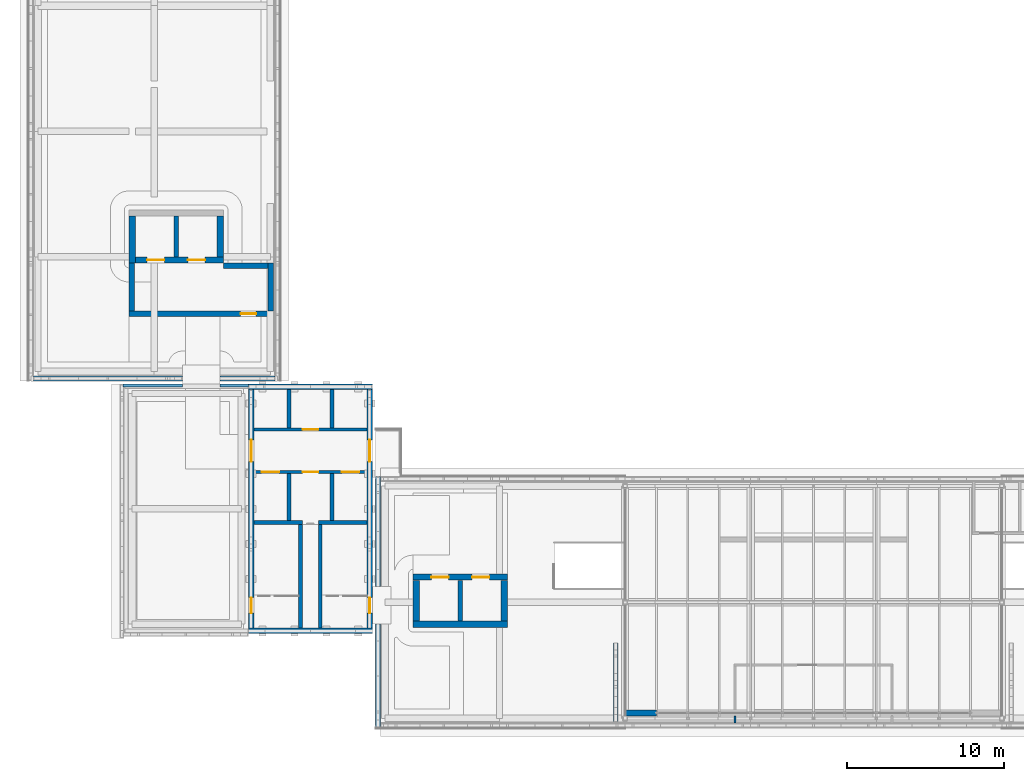
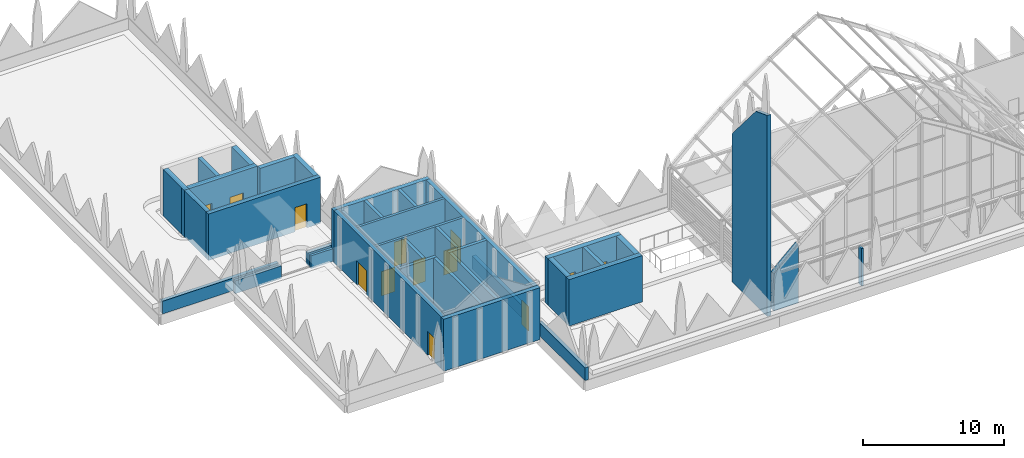
# One storey, part 10 of 18: 36 walls, 13 doors, 13 openings.
"""IFC4 building model written with IfcOpenShell, lengths in metres."""

from ifc_helpers import new_model, si_unit, direction, frame, frame_2d, origin, place, context, subcontext, project, spatial, polyline, rectangle, outline, extrude, material, layer, layer_set, type_object, element, fill, save


model = new_model("IFC4")

# Units and contexts
model_context = context("Model", 3, precision=1e-05, world=origin(), true_north=direction((0.0, 1.0)))
body_context = subcontext(model_context, "Body", "Model", "MODEL_VIEW")
ifc_project = project(units=[si_unit("LENGTHUNIT", "METRE"), si_unit("AREAUNIT", "SQUARE_METRE"), si_unit("VOLUMEUNIT", "CUBIC_METRE"), si_unit("PLANEANGLEUNIT", "RADIAN"), si_unit("MASSUNIT", "GRAM", prefix="KILO")], contexts=[model_context])

# Site, building, storey
site_placement = place(None, origin())
site = spatial("IfcSite", under=ifc_project, at=site_placement, CompositionType="ELEMENT")
building_placement = place(site_placement, origin())
building = spatial("IfcBuilding", under=site, at=building_placement, Name="Lantern Court Media Centre", CompositionType="ELEMENT")
storey_placement = place(building_placement, frame((0.0, 0.0, 33.60009765625)))
storey = spatial("IfcBuildingStorey", under=building, at=storey_placement, Name="R00", CompositionType="ELEMENT", Elevation=33.60009765625)

# Wall, openings, doors
ifc_material_1 = material(Name="Concrete C40", Category="concrete")
ifc_layer_1 = layer(ifc_material_1, 0.199951171875)
ifc_layer_set_1 = layer_set([ifc_layer_1], Name="Concrete C40")
wall_type_1 = type_object("IfcWallType", Name="Fire lobby wall 200", PredefinedType="SOLIDWALL", material=ifc_layer_set_1)
wall_1_placement = place(storey_placement, frame((16.35009765625, 58.300048828125, 0.0), z_axis=(0.0, 0.0, 1.0), x_axis=(1.0, 0.0, 0.0)))
wall_1 = element("IfcWall", 1, at=wall_1_placement, inside=storey, type_object=wall_type_1, Name="R00 SW FW1", PredefinedType="SOLIDWALL", context=body_context, shape_type="SweptSolid", body=[
    extrude(rectangle(XDim=7.199951171875, YDim=0.199951171875, at=frame_2d((3.60009765625, 0.0))), origin(), (0.0, 0.0, 1.0), 4.5),
])
opening_1_placement = place(wall_1_placement, frame((0.5, 0.0, 0.0)))
opening_1 = element("IfcOpeningElement", 2, at=opening_1_placement, cuts=wall_1, Name="Opening LD-SWFF-R00", PredefinedType="OPENING", context=body_context, shape_type="SweptSolid", body=[
    extrude(rectangle(XDim=1.10009765625, YDim=2.10009765625, at=frame_2d((0.550048828125, 1.050048828125))), frame((0.0, 0.10986328125, 0.0), z_axis=(0.0, -1.0, 0.0), x_axis=(1.0, 0.0, 0.0)), (0.0, 0.0, 1.0), 0.219970703125),
])
opening_2_placement = place(wall_1_placement, frame((5.60009765625, 0.0, 0.0)))
opening_2 = element("IfcOpeningElement", 3, at=opening_2_placement, cuts=wall_1, Name="Opening LD-SWP1-R00", PredefinedType="OPENING", context=body_context, shape_type="SweptSolid", body=[
    extrude(rectangle(XDim=1.10009765625, YDim=2.10009765625, at=frame_2d((0.550048828125, 1.050048828125))), frame((0.0, 0.10986328125, 0.0), z_axis=(0.0, -1.0, 0.0), x_axis=(1.0, 0.0, 0.0)), (0.0, 0.0, 1.0), 0.219970703125),
])
opening_3_placement = place(wall_1_placement, frame((3.10009765625, 0.0, 0.0)))
opening_3 = element("IfcOpeningElement", 4, at=opening_3_placement, cuts=wall_1, Name="Opening SW-R00-03", PredefinedType="OPENING", context=body_context, shape_type="SweptSolid", body=[
    extrude(rectangle(XDim=1.0, YDim=2.10009765625, at=frame_2d((0.5, 1.050048828125))), frame((0.0, 0.10986328125, 0.0), z_axis=(0.0, -1.0, 0.0), x_axis=(1.0, 0.0, 0.0)), (0.0, 0.0, 1.0), 0.219970703125),
])
ifc_material_2 = material(Name="Steel door leaf", Category="steel")
door_type_1 = type_object("IfcDoorType", Name="Lift landing door 1100x2100", OperationType="DOUBLE_DOOR_SLIDING", PredefinedType="DOOR", material=ifc_material_2)
door_1_placement = place(opening_1_placement, origin())
door_1 = element("IfcDoor", 5, at=door_1_placement, inside=storey, type_object=door_type_1, Name="R00 SW lift FF landing door", OperationType="DOUBLE_DOOR_SLIDING", OverallHeight=2.10009765625, OverallWidth=1.10009765625, PredefinedType="DOOR", context=body_context, shape_type="SweptSolid", body=[
    extrude(rectangle(XDim=1.10009765625, YDim=2.10009765625, at=frame_2d((0.550048828125, 1.050048828125))), frame((0.0, 0.02490234375, 0.0), z_axis=(0.0, -1.0, 0.0), x_axis=(1.0, 0.0, 0.0)), (0.0, 0.0, 1.0), 0.050048828125),
])
fill(opening_1, door_1)
door_2_placement = place(opening_2_placement, origin())
door_2 = element("IfcDoor", 6, at=door_2_placement, inside=storey, type_object=door_type_1, Name="R00 SW lift P1 landing door", OperationType="DOUBLE_DOOR_SLIDING", OverallHeight=2.10009765625, OverallWidth=1.10009765625, PredefinedType="DOOR", context=body_context, shape_type="SweptSolid", body=[
    extrude(rectangle(XDim=1.10009765625, YDim=2.10009765625, at=frame_2d((0.550048828125, 1.050048828125))), frame((0.0, 0.02490234375, 0.0), z_axis=(0.0, -1.0, 0.0), x_axis=(1.0, 0.0, 0.0)), (0.0, 0.0, 1.0), 0.050048828125),
])
fill(opening_2, door_2)
door_type_2 = type_object("IfcDoorType", Name="Service door 1000x2100", OperationType="NOTDEFINED", PredefinedType="DOOR", material=ifc_material_2)
door_3_placement = place(opening_3_placement, origin())
door_3 = element("IfcDoor", 7, at=door_3_placement, inside=storey, type_object=door_type_2, Name="R00 SW services riser door", OperationType="SINGLE_SWING_LEFT", OverallHeight=2.10009765625, OverallWidth=1.0, PredefinedType="DOOR", context=body_context, shape_type="SweptSolid", body=[
    extrude(rectangle(XDim=1.0, YDim=2.10009765625, at=frame_2d((0.5, 1.050048828125))), frame((0.0, 0.02490234375, 0.0), z_axis=(0.0, -1.0, 0.0), x_axis=(1.0, 0.0, 0.0)), (0.0, 0.0, 1.0), 0.050048828125),
])
fill(opening_3, door_3)

# Wall, opening, door
wall_2_placement = place(storey_placement, frame((16.35009765625, 61.0, 0.0), z_axis=(0.0, 0.0, 1.0), x_axis=(1.0, 0.0, 0.0)))
wall_2 = element("IfcWall", 8, at=wall_2_placement, inside=storey, type_object=wall_type_1, Name="R00 SW FW2", PredefinedType="SOLIDWALL", context=body_context, shape_type="SweptSolid", body=[
    extrude(rectangle(XDim=7.199951171875, YDim=0.199951171875, at=frame_2d((3.60009765625, 0.0))), origin(), (0.0, 0.0, 1.0), 4.5),
])
opening_4_placement = place(wall_2_placement, frame((3.10009765625, 0.0, 0.0)))
opening_4 = element("IfcOpeningElement", 9, at=opening_4_placement, cuts=wall_2, Name="Opening SW-R00-04", PredefinedType="OPENING", context=body_context, shape_type="SweptSolid", body=[
    extrude(rectangle(XDim=1.0, YDim=2.10009765625, at=frame_2d((0.5, 1.050048828125))), frame((0.0, 0.10986328125, 0.0), z_axis=(0.0, -1.0, 0.0), x_axis=(1.0, 0.0, 0.0)), (0.0, 0.0, 1.0), 0.219970703125),
])
door_4_placement = place(opening_4_placement, frame((1.0, 0.0, 0.0), z_axis=(0.0, 0.0, 1.0), x_axis=(-1.0, 0.0, 0.0)))
door_4 = element("IfcDoor", 10, at=door_4_placement, inside=storey, type_object=door_type_2, Name="R00 SW accessible WC door", OperationType="SINGLE_SWING_RIGHT", OverallHeight=2.10009765625, OverallWidth=1.0, PredefinedType="DOOR", context=body_context, shape_type="SweptSolid", body=[
    extrude(rectangle(XDim=1.0, YDim=2.10009765625, at=frame_2d((0.5, 1.050048828125))), frame((0.0, 0.02490234375, 0.0), z_axis=(0.0, -1.0, 0.0), x_axis=(1.0, 0.0, 0.0)), (0.0, 0.0, 1.0), 0.050048828125),
])
fill(opening_4, door_4)

# Walls
ifc_material_3 = material(Name="Honed limestone cladding on blockwork", Category="masonry")
ifc_layer_2 = layer(ifc_material_3, 0.300048828125)
ifc_layer_set_2 = layer_set([ifc_layer_2], Name="Honed limestone cladding on blockwork")
wall_type_2 = type_object("IfcWallType", Name="Limestone flank wall 300", PredefinedType="SOLIDWALL", material=ifc_layer_set_2)
wall_3_placement = place(storey_placement, frame((39.39990234375, 42.39990234375, 0.0), z_axis=(0.0, 0.0, 1.0), x_axis=(0.0, 1.0, 0.0)))
element("IfcWall", 11, at=wall_3_placement, inside=storey, type_object=wall_type_2, Name="Limestone pylon blade S roof", PredefinedType="SOLIDWALL", context=body_context, shape_type="SweptSolid", body=[
    extrude(outline(polyline([(0.0, 0.0), (5.0, 0.0), (5.0, 12.7998046875), (1.60009765625, 16.7998046875), (0.0, 17.39990234375), (0.0, 0.0)])), frame((0.0, 0.14990234375, 0.0), z_axis=(0.0, -1.0, 0.0), x_axis=(1.0, 0.0, 0.0)), (0.0, 0.0, 1.0), 0.300048828125),
])
ifc_material_4 = material(Name="Concrete blockwork C20", Category="masonry")
ifc_layer_3 = layer(ifc_material_4, 0.14990234375)
ifc_layer_set_3 = layer_set([ifc_layer_3], Name="Concrete blockwork C20")
wall_type_3 = type_object("IfcWallType", Name="Partition 150 masonry", PredefinedType="PARTITIONING", material=ifc_layer_set_3)
wall_4_placement = place(storey_placement, frame((47.0, 42.300048828125, 0.0), z_axis=(0.0, 0.0, 1.0), x_axis=(0.0, 1.0, 0.0)))
element("IfcWall", 12, at=wall_4_placement, inside=storey, type_object=wall_type_3, Name="R00 partition 008", PredefinedType="PARTITIONING", context=body_context, shape_type="SweptSolid", body=[
    extrude(rectangle(XDim=0.449951171875, YDim=0.14990234375, at=frame_2d((0.22509765625, 0.0))), origin(), (0.0, 0.0, 1.0), 3.25),
])
ifc_material_5 = material(Name="Limestone masonry, insulated", Category="masonry")
ifc_layer_4 = layer(ifc_material_5, 0.39990234375)
ifc_layer_set_4 = layer_set([ifc_layer_4], Name="Limestone masonry, insulated")
wall_type_4 = type_object("IfcWallType", Name="Pavilion gable wall 400", PredefinedType="SOLIDWALL", material=ifc_layer_set_4)
wall_5_placement = place(storey_placement, frame((40.0, 42.949951171875, 0.0), z_axis=(0.0, 0.0, 1.0), x_axis=(1.0, 0.0, 0.0)))
element("IfcWall", 13, at=wall_5_placement, inside=storey, type_object=wall_type_4, Name="Terrace pavilion gable pier", PredefinedType="SOLIDWALL", context=body_context, shape_type="SweptSolid", body=[
    extrude(outline(polyline([(0.0, 0.0), (2.0, 0.0), (2.0, 5.048583984375), (1.75, 4.82666015625), (1.5, 4.60205078125), (1.25, 4.375), (1.0, 4.145263671875), (0.75, 3.9130859375), (0.5, 3.677978515625), (0.25, 3.4404296875), (0.0, 3.199951171875), (0.0, 0.0)])), frame((0.0, 0.199951171875, 0.0), z_axis=(0.0, -1.0, 0.0), x_axis=(1.0, 0.0, 0.0)), (0.0, 0.0, 1.0), 0.39990234375),
])

# Wall, opening, door
ifc_layer_5 = layer(ifc_material_1, 0.35009765625)
ifc_layer_set_5 = layer_set([ifc_layer_5], Name="Concrete C40")
wall_type_5 = type_object("IfcWallType", Name="RC CORE WALL 350", PredefinedType="SHEAR", material=ifc_layer_set_5)
wall_6_placement = place(storey_placement, frame((8.39990234375, 68.375, 0.0), z_axis=(0.0, 0.0, 1.0), x_axis=(1.0, 0.0, 0.0)))
wall_6 = element("IfcWall", 14, at=wall_6_placement, inside=storey, type_object=wall_type_5, Name="WB-W-LC-R00-VB-S", PredefinedType="SHEAR", context=body_context, shape_type="SweptSolid", body=[
    extrude(rectangle(XDim=9.2001953125, YDim=0.35009765625, at=frame_2d((4.60009765625, 0.0))), origin(), (0.0, 0.0, 1.0), 4.02001953125),
])
opening_5_placement = place(wall_6_placement, frame((7.10009765625, 0.0, 0.0)))
opening_5 = element("IfcOpeningElement", 15, at=opening_5_placement, cuts=wall_6, Name="Opening VB-W-LC", PredefinedType="OPENING", context=body_context, shape_type="SweptSolid", body=[
    extrude(rectangle(XDim=1.0, YDim=2.10009765625, at=frame_2d((0.5, 1.050048828125))), frame((0.0, 0.18505859375, 0.0), z_axis=(0.0, -1.0, 0.0), x_axis=(1.0, 0.0, 0.0)), (0.0, 0.0, 1.0), 0.3701171875),
])
door_type_3 = type_object("IfcDoorType", Name="Lift lobby single door 1000x2100", OperationType="NOTDEFINED", PredefinedType="DOOR", material=ifc_material_2)
door_5_placement = place(opening_5_placement, frame((1.0, 0.0, 0.0), z_axis=(0.0, 0.0, 1.0), x_axis=(-1.0, 0.0, 0.0)))
door_5 = element("IfcDoor", 16, at=door_5_placement, inside=storey, type_object=door_type_3, Name="R00 W-LC roof lift vestibule door", OperationType="SINGLE_SWING_RIGHT", OverallHeight=2.10009765625, OverallWidth=1.0, PredefinedType="DOOR", context=body_context, shape_type="SweptSolid", body=[
    extrude(rectangle(XDim=1.0, YDim=2.10009765625, at=frame_2d((0.5, 1.050048828125))), frame((0.0, 0.02490234375, 0.0), z_axis=(0.0, -1.0, 0.0), x_axis=(1.0, 0.0, 0.0)), (0.0, 0.0, 1.0), 0.050048828125),
])
fill(opening_5, door_5)

# Walls
for number, where, z_axis, x_axis, name in (
    (17, (17.425048828125, 68.550048828125, 0.0), (0.0, 0.0, 1.0), (0.0, 1.0, 0.0), "WB-W-LC-R00-VB-E"),
    (18, (8.574951171875, 68.550048828125, 0.0), (0.0, 0.0, 1.0), (0.0, 1.0, 0.0), "WB-W-LC-R00-VB-W"),
):
    element("IfcWall", number, at=place(storey_placement, frame(where, z_axis=z_axis, x_axis=x_axis)), inside=storey, type_object=wall_type_5, Name=name, PredefinedType="SHEAR", context=body_context, shape_type="SweptSolid", body=[
        extrude(rectangle(XDim=3.050048828125, YDim=0.35009765625, at=frame_2d((1.52490234375, 0.0))), origin(), (0.0, 0.0, 1.0), 4.02001953125),
    ])
wall_7_placement = place(storey_placement, frame((14.39990234375, 71.425048828125, 0.0), z_axis=(0.0, 0.0, 1.0), x_axis=(1.0, 0.0, 0.0)))
element("IfcWall", 19, at=wall_7_placement, inside=storey, type_object=wall_type_5, Name="WB-W-LC-R00-VB-N", PredefinedType="SHEAR", context=body_context, shape_type="SweptSolid", body=[
    extrude(rectangle(XDim=2.85009765625, YDim=0.35009765625, at=frame_2d((1.425048828125, 0.0))), origin(), (0.0, 0.0, 1.0), 4.02001953125),
])
ifc_layer_6 = layer(ifc_material_1, 0.300048828125)
ifc_layer_set_6 = layer_set([ifc_layer_6], Name="Concrete C40")
wall_type_6 = type_object("IfcWallType", Name="RC SHEAR WALL 300", PredefinedType="SHEAR", material=ifc_layer_set_6)
wall_8_placement = place(storey_placement, frame((29.5, 48.800048828125, 0.0), z_axis=(0.0, 0.0, 1.0), x_axis=(0.0, 1.0, 0.0)))
element("IfcWall", 20, at=wall_8_placement, inside=storey, type_object=wall_type_6, Name="WB-S-LC1-R00-D", PredefinedType="SHEAR", context=body_context, shape_type="SweptSolid", body=[
    extrude(rectangle(XDim=2.599853515625, YDim=0.300048828125, at=frame_2d((1.2998046875, 0.0))), origin(), (0.0, 0.0, 1.0), 4.02001953125),
])
wall_9_placement = place(storey_placement, frame((11.39990234375, 72.0, 0.0), z_axis=(0.0, 0.0, 1.0), x_axis=(0.0, 1.0, 0.0)))
element("IfcWall", 21, at=wall_9_placement, inside=storey, type_object=wall_type_6, Name="WB-W-LC-R00-D", PredefinedType="SHEAR", context=body_context, shape_type="SweptSolid", body=[
    extrude(rectangle(XDim=2.60009765625, YDim=0.300048828125, at=frame_2d((1.300048828125, 0.0))), origin(), (0.0, 0.0, 1.0), 4.02001953125),
])
ifc_layer_7 = layer(ifc_material_1, 0.39990234375)
ifc_layer_set_7 = layer_set([ifc_layer_7], Name="Concrete C40")
wall_type_7 = type_object("IfcWallType", Name="RC SHEAR WALL 400", PredefinedType="SHEAR", material=ifc_layer_set_7)
wall_10_placement = place(storey_placement, frame((26.5, 48.60009765625, 0.0), z_axis=(0.0, 0.0, 1.0), x_axis=(1.0, 0.0, 0.0)))
element("IfcWall", 22, at=wall_10_placement, inside=storey, type_object=wall_type_7, Name="WB-S-LC1-R00-S", PredefinedType="SHEAR", context=body_context, shape_type="SweptSolid", body=[
    extrude(rectangle(XDim=6.0, YDim=0.39990234375, at=frame_2d((3.0, 0.0))), origin(), (0.0, 0.0, 1.0), 4.02001953125),
])

# Wall, openings, doors
wall_11_placement = place(storey_placement, frame((26.5, 51.60009765625, 0.0), z_axis=(0.0, 0.0, 1.0), x_axis=(1.0, 0.0, 0.0)))
wall_11 = element("IfcWall", 23, at=wall_11_placement, inside=storey, type_object=wall_type_7, Name="WB-S-LC1-R00-N", PredefinedType="SHEAR", context=body_context, shape_type="SweptSolid", body=[
    extrude(rectangle(XDim=6.0, YDim=0.39990234375, at=frame_2d((3.0, 0.0))), origin(), (0.0, 0.0, 1.0), 4.02001953125),
])
opening_6_placement = place(wall_11_placement, frame((1.14990234375, 0.0, 0.0)))
opening_6 = element("IfcOpeningElement", 24, at=opening_6_placement, cuts=wall_11, Name="Opening LD-S-LC1P-R00", PredefinedType="OPENING", context=body_context, shape_type="SweptSolid", body=[
    extrude(rectangle(XDim=1.10009765625, YDim=2.10009765625, at=frame_2d((0.550048828125, 1.050048828125))), frame((0.0, 0.2099609375, 0.0), z_axis=(0.0, -1.0, 0.0), x_axis=(1.0, 0.0, 0.0)), (0.0, 0.0, 1.0), 0.419921875),
])
opening_7_placement = place(wall_11_placement, frame((3.75, 0.0, 0.0)))
opening_7 = element("IfcOpeningElement", 25, at=opening_7_placement, cuts=wall_11, Name="Opening LD-S-LC1S-R00", PredefinedType="OPENING", context=body_context, shape_type="SweptSolid", body=[
    extrude(rectangle(XDim=1.10009765625, YDim=2.10009765625, at=frame_2d((0.550048828125, 1.050048828125))), frame((0.0, 0.2099609375, 0.0), z_axis=(0.0, -1.0, 0.0), x_axis=(1.0, 0.0, 0.0)), (0.0, 0.0, 1.0), 0.419921875),
])
door_6_placement = place(opening_6_placement, origin())
door_6 = element("IfcDoor", 26, at=door_6_placement, inside=storey, type_object=door_type_1, Name="R00 S-LC1 passenger lift landing door", OperationType="DOUBLE_DOOR_SLIDING", OverallHeight=2.10009765625, OverallWidth=1.10009765625, PredefinedType="DOOR", context=body_context, shape_type="SweptSolid", body=[
    extrude(rectangle(XDim=1.10009765625, YDim=2.10009765625, at=frame_2d((0.550048828125, 1.050048828125))), frame((0.0, 0.02490234375, 0.0), z_axis=(0.0, -1.0, 0.0), x_axis=(1.0, 0.0, 0.0)), (0.0, 0.0, 1.0), 0.050048828125),
])
fill(opening_6, door_6)
door_7_placement = place(opening_7_placement, origin())
door_7 = element("IfcDoor", 27, at=door_7_placement, inside=storey, type_object=door_type_1, Name="R00 S-LC1 service lift landing door", OperationType="DOUBLE_DOOR_SLIDING", OverallHeight=2.10009765625, OverallWidth=1.10009765625, PredefinedType="DOOR", context=body_context, shape_type="SweptSolid", body=[
    extrude(rectangle(XDim=1.10009765625, YDim=2.10009765625, at=frame_2d((0.550048828125, 1.050048828125))), frame((0.0, 0.02490234375, 0.0), z_axis=(0.0, -1.0, 0.0), x_axis=(1.0, 0.0, 0.0)), (0.0, 0.0, 1.0), 0.050048828125),
])
fill(opening_7, door_7)

# Walls
for number, where, z_axis, x_axis, name in (
    (28, (26.699951171875, 48.800048828125, 0.0), (0.0, 0.0, 1.0), (0.0, 1.0, 0.0), "WB-S-LC1-R00-W"),
    (29, (32.300048828125, 48.800048828125, 0.0), (0.0, 0.0, 1.0), (0.0, 1.0, 0.0), "WB-S-LC1-R00-E"),
):
    element("IfcWall", number, at=place(storey_placement, frame(where, z_axis=z_axis, x_axis=x_axis)), inside=storey, type_object=wall_type_7, Name=name, PredefinedType="SHEAR", context=body_context, shape_type="SweptSolid", body=[
        extrude(rectangle(XDim=2.599853515625, YDim=0.39990234375, at=frame_2d((1.2998046875, 0.0))), origin(), (0.0, 0.0, 1.0), 4.02001953125),
    ])

# Wall, openings, doors
wall_12_placement = place(storey_placement, frame((8.39990234375, 71.800048828125, 0.0), z_axis=(0.0, 0.0, 1.0), x_axis=(1.0, 0.0, 0.0)))
wall_12 = element("IfcWall", 30, at=wall_12_placement, inside=storey, type_object=wall_type_7, Name="WB-W-LC-R00-S", PredefinedType="SHEAR", context=body_context, shape_type="SweptSolid", body=[
    extrude(rectangle(XDim=6.0, YDim=0.39990234375, at=frame_2d((3.0, 0.0))), origin(), (0.0, 0.0, 1.0), 4.02001953125),
])
opening_8_placement = place(wall_12_placement, frame((1.14990234375, 0.0, 0.0)))
opening_8 = element("IfcOpeningElement", 31, at=opening_8_placement, cuts=wall_12, Name="Opening LD-W-LCP-R00", PredefinedType="OPENING", context=body_context, shape_type="SweptSolid", body=[
    extrude(rectangle(XDim=1.10009765625, YDim=2.10009765625, at=frame_2d((0.550048828125, 1.050048828125))), frame((0.0, 0.2099609375, 0.0), z_axis=(0.0, -1.0, 0.0), x_axis=(1.0, 0.0, 0.0)), (0.0, 0.0, 1.0), 0.419921875),
])
opening_9_placement = place(wall_12_placement, frame((3.75, 0.0, 0.0)))
opening_9 = element("IfcOpeningElement", 32, at=opening_9_placement, cuts=wall_12, Name="Opening LD-W-LCS-R00", PredefinedType="OPENING", context=body_context, shape_type="SweptSolid", body=[
    extrude(rectangle(XDim=1.10009765625, YDim=2.10009765625, at=frame_2d((0.550048828125, 1.050048828125))), frame((0.0, 0.2099609375, 0.0), z_axis=(0.0, -1.0, 0.0), x_axis=(1.0, 0.0, 0.0)), (0.0, 0.0, 1.0), 0.419921875),
])
door_8_placement = place(opening_8_placement, frame((1.10009765625, 0.0, 0.0), z_axis=(0.0, 0.0, 1.0), x_axis=(-1.0, 0.0, 0.0)))
door_8 = element("IfcDoor", 33, at=door_8_placement, inside=storey, type_object=door_type_1, Name="R00 W-LC passenger lift landing door", OperationType="DOUBLE_DOOR_SLIDING", OverallHeight=2.10009765625, OverallWidth=1.10009765625, PredefinedType="DOOR", context=body_context, shape_type="SweptSolid", body=[
    extrude(rectangle(XDim=1.10009765625, YDim=2.10009765625, at=frame_2d((0.550048828125, 1.050048828125))), frame((0.0, 0.02490234375, 0.0), z_axis=(0.0, -1.0, 0.0), x_axis=(1.0, 0.0, 0.0)), (0.0, 0.0, 1.0), 0.050048828125),
])
fill(opening_8, door_8)
door_9_placement = place(opening_9_placement, frame((1.10009765625, 0.0, 0.0), z_axis=(0.0, 0.0, 1.0), x_axis=(-1.0, 0.0, 0.0)))
door_9 = element("IfcDoor", 34, at=door_9_placement, inside=storey, type_object=door_type_1, Name="R00 W-LC service lift landing door", OperationType="DOUBLE_DOOR_SLIDING", OverallHeight=2.10009765625, OverallWidth=1.10009765625, PredefinedType="DOOR", context=body_context, shape_type="SweptSolid", body=[
    extrude(rectangle(XDim=1.10009765625, YDim=2.10009765625, at=frame_2d((0.550048828125, 1.050048828125))), frame((0.0, 0.02490234375, 0.0), z_axis=(0.0, -1.0, 0.0), x_axis=(1.0, 0.0, 0.0)), (0.0, 0.0, 1.0), 0.050048828125),
])
fill(opening_9, door_9)

# Walls
wall_13_placement = place(storey_placement, frame((8.60009765625, 71.60009765625, 0.0), z_axis=(0.0, 0.0, 1.0), x_axis=(0.0, 1.0, 0.0)))
element("IfcWall", 35, at=wall_13_placement, inside=storey, type_object=wall_type_7, Name="WB-W-LC-R00-W", PredefinedType="SHEAR", context=body_context, shape_type="SweptSolid", body=[
    extrude(rectangle(XDim=3.0, YDim=0.39990234375, at=frame_2d((1.5, 0.0))), origin(), (0.0, 0.0, 1.0), 4.02001953125),
])
wall_14_placement = place(storey_placement, frame((14.199951171875, 72.0, 0.0), z_axis=(0.0, 0.0, 1.0), x_axis=(0.0, 1.0, 0.0)))
element("IfcWall", 36, at=wall_14_placement, inside=storey, type_object=wall_type_7, Name="WB-W-LC-R00-E", PredefinedType="SHEAR", context=body_context, shape_type="SweptSolid", body=[
    extrude(rectangle(XDim=2.60009765625, YDim=0.39990234375, at=frame_2d((1.300048828125, 0.0))), origin(), (0.0, 0.0, 1.0), 4.02001953125),
])
ifc_layer_8 = layer(ifc_material_1, 0.35009765625)
ifc_layer_set_8 = layer_set([ifc_layer_8], Name="Concrete C40")
wall_type_8 = type_object("IfcWallType", Name="RC head-house wall 350", PredefinedType="SOLIDWALL", material=ifc_layer_set_8)
wall_15_placement = place(storey_placement, frame((16.0, 48.175048828125, 0.0), z_axis=(0.0, 0.0, 1.0), x_axis=(1.0, 0.0, 0.0)))
element("IfcWall", 37, at=wall_15_placement, inside=storey, type_object=wall_type_8, Name="R00 SW head-house wall S", PredefinedType="SOLIDWALL", context=body_context, shape_type="SweptSolid", body=[
    extrude(rectangle(XDim=7.89990234375, YDim=0.35009765625, at=frame_2d((3.949951171875, 0.0))), origin(), (0.0, 0.0, 1.0), 4.5),
])

# Wall, openings, doors
wall_16_placement = place(storey_placement, frame((16.175048828125, 48.35009765625, 0.0), z_axis=(0.0, 0.0, 1.0), x_axis=(0.0, 1.0, 0.0)))
wall_16 = element("IfcWall", 38, at=wall_16_placement, inside=storey, type_object=wall_type_8, Name="R00 SW head-house wall W", PredefinedType="SOLIDWALL", context=body_context, shape_type="SweptSolid", body=[
    extrude(rectangle(XDim=15.199951171875, YDim=0.35009765625, at=frame_2d((7.60009765625, 0.0))), origin(), (0.0, 0.0, 1.0), 4.5),
])
opening_10_placement = place(wall_16_placement, frame((0.949951171875, 0.0, 0.0)))
opening_10 = element("IfcOpeningElement", 39, at=opening_10_placement, cuts=wall_16, Name="Opening SW-R00-01", PredefinedType="OPENING", context=body_context, shape_type="SweptSolid", body=[
    extrude(rectangle(XDim=1.0, YDim=2.10009765625, at=frame_2d((0.5, 1.050048828125))), frame((0.0, 0.18505859375, 0.0), z_axis=(0.0, -1.0, 0.0), x_axis=(1.0, 0.0, 0.0)), (0.0, 0.0, 1.0), 0.3701171875),
])
opening_11_placement = place(wall_16_placement, frame((10.60009765625, 0.0, 0.0)))
opening_11 = element("IfcOpeningElement", 40, at=opening_11_placement, cuts=wall_16, Name="Opening SW-R00-05", PredefinedType="OPENING", context=body_context, shape_type="SweptSolid", body=[
    extrude(rectangle(XDim=1.39990234375, YDim=2.10009765625, at=frame_2d((0.699951171875, 1.050048828125))), frame((0.0, 0.18505859375, 0.0), z_axis=(0.0, -1.0, 0.0), x_axis=(1.0, 0.0, 0.0)), (0.0, 0.0, 1.0), 0.3701171875),
])
door_type_4 = type_object("IfcDoorType", Name="Lift lobby double door 1400x2100", OperationType="NOTDEFINED", PredefinedType="DOOR", material=ifc_material_2)
door_10_placement = place(opening_11_placement, origin())
door_10 = element("IfcDoor", 41, at=door_10_placement, inside=storey, type_object=door_type_4, Name="R00 SW lift lobby west door", OperationType="SINGLE_SWING_LEFT", OverallHeight=2.10009765625, OverallWidth=1.39990234375, PredefinedType="DOOR", context=body_context, shape_type="SweptSolid", body=[
    extrude(rectangle(XDim=1.39990234375, YDim=2.10009765625, at=frame_2d((0.699951171875, 1.050048828125))), frame((0.0, 0.02490234375, 0.0), z_axis=(0.0, -1.0, 0.0), x_axis=(1.0, 0.0, 0.0)), (0.0, 0.0, 1.0), 0.050048828125),
])
fill(opening_11, door_10)
door_type_5 = type_object("IfcDoorType", Name="Stair door 1000x2100", OperationType="NOTDEFINED", PredefinedType="DOOR", material=ifc_material_2)
door_11_placement = place(opening_10_placement, origin())
door_11 = element("IfcDoor", 42, at=door_11_placement, inside=storey, type_object=door_type_5, Name="R00 SW stair A door", OperationType="SINGLE_SWING_LEFT", OverallHeight=2.10009765625, OverallWidth=1.0, PredefinedType="DOOR", context=body_context, shape_type="SweptSolid", body=[
    extrude(rectangle(XDim=1.0, YDim=2.10009765625, at=frame_2d((0.5, 1.050048828125))), frame((0.0, 0.02490234375, 0.0), z_axis=(0.0, -1.0, 0.0), x_axis=(1.0, 0.0, 0.0)), (0.0, 0.0, 1.0), 0.050048828125),
])
fill(opening_10, door_11)

wall_17_placement = place(storey_placement, frame((23.72509765625, 48.35009765625, 0.0), z_axis=(0.0, 0.0, 1.0), x_axis=(0.0, 1.0, 0.0)))
wall_17 = element("IfcWall", 43, at=wall_17_placement, inside=storey, type_object=wall_type_8, Name="R00 SW head-house wall E", PredefinedType="SOLIDWALL", context=body_context, shape_type="SweptSolid", body=[
    extrude(rectangle(XDim=15.199951171875, YDim=0.35009765625, at=frame_2d((7.60009765625, 0.0))), origin(), (0.0, 0.0, 1.0), 4.5),
])
opening_12_placement = place(wall_17_placement, frame((0.949951171875, 0.0, 0.0)))
opening_12 = element("IfcOpeningElement", 44, at=opening_12_placement, cuts=wall_17, Name="Opening SW-R00-02", PredefinedType="OPENING", context=body_context, shape_type="SweptSolid", body=[
    extrude(rectangle(XDim=1.0, YDim=2.10009765625, at=frame_2d((0.5, 1.050048828125))), frame((0.0, 0.18505859375, 0.0), z_axis=(0.0, -1.0, 0.0), x_axis=(1.0, 0.0, 0.0)), (0.0, 0.0, 1.0), 0.3701171875),
])
opening_13_placement = place(wall_17_placement, frame((10.60009765625, 0.0, 0.0)))
opening_13 = element("IfcOpeningElement", 45, at=opening_13_placement, cuts=wall_17, Name="Opening SW-R00-06", PredefinedType="OPENING", context=body_context, shape_type="SweptSolid", body=[
    extrude(rectangle(XDim=1.39990234375, YDim=2.10009765625, at=frame_2d((0.699951171875, 1.050048828125))), frame((0.0, 0.18505859375, 0.0), z_axis=(0.0, -1.0, 0.0), x_axis=(1.0, 0.0, 0.0)), (0.0, 0.0, 1.0), 0.3701171875),
])
door_12_placement = place(opening_13_placement, frame((1.39990234375, 0.0, 0.0), z_axis=(0.0, 0.0, 1.0), x_axis=(-1.0, 0.0, 0.0)))
door_12 = element("IfcDoor", 46, at=door_12_placement, inside=storey, type_object=door_type_4, Name="R00 SW lift lobby east door", OperationType="SINGLE_SWING_RIGHT", OverallHeight=2.10009765625, OverallWidth=1.39990234375, PredefinedType="DOOR", context=body_context, shape_type="SweptSolid", body=[
    extrude(rectangle(XDim=1.39990234375, YDim=2.10009765625, at=frame_2d((0.699951171875, 1.050048828125))), frame((0.0, 0.02490234375, 0.0), z_axis=(0.0, -1.0, 0.0), x_axis=(1.0, 0.0, 0.0)), (0.0, 0.0, 1.0), 0.050048828125),
])
fill(opening_13, door_12)
door_13_placement = place(opening_12_placement, frame((1.0, 0.0, 0.0), z_axis=(0.0, 0.0, 1.0), x_axis=(-1.0, 0.0, 0.0)))
door_13 = element("IfcDoor", 47, at=door_13_placement, inside=storey, type_object=door_type_5, Name="R00 SW stair B door", OperationType="SINGLE_SWING_RIGHT", OverallHeight=2.10009765625, OverallWidth=1.0, PredefinedType="DOOR", context=body_context, shape_type="SweptSolid", body=[
    extrude(rectangle(XDim=1.0, YDim=2.10009765625, at=frame_2d((0.5, 1.050048828125))), frame((0.0, 0.02490234375, 0.0), z_axis=(0.0, -1.0, 0.0), x_axis=(1.0, 0.0, 0.0)), (0.0, 0.0, 1.0), 0.050048828125),
])
fill(opening_12, door_13)

# Walls
wall_18_placement = place(storey_placement, frame((16.0, 63.72509765625, 0.0), z_axis=(0.0, 0.0, 1.0), x_axis=(1.0, 0.0, 0.0)))
element("IfcWall", 48, at=wall_18_placement, inside=storey, type_object=wall_type_8, Name="R00 SW head-house wall N", PredefinedType="SOLIDWALL", context=body_context, shape_type="SweptSolid", body=[
    extrude(rectangle(XDim=7.89990234375, YDim=0.35009765625, at=frame_2d((3.949951171875, 0.0))), origin(), (0.0, 0.0, 1.0), 4.5),
])
ifc_layer_9 = layer(ifc_material_1, 0.25)
ifc_layer_set_9 = layer_set([ifc_layer_9], Name="Concrete C40")
wall_type_9 = type_object("IfcWallType", Name="RC lift shaft wall 250", PredefinedType="SOLIDWALL", material=ifc_layer_set_9)
wall_19_placement = place(storey_placement, frame((18.574951171875, 55.199951171875, 0.0), z_axis=(0.0, 0.0, 1.0), x_axis=(0.0, 1.0, 0.0)))
element("IfcWall", 49, at=wall_19_placement, inside=storey, type_object=wall_type_9, Name="R00 SW L1a", PredefinedType="SOLIDWALL", context=body_context, shape_type="SweptSolid", body=[
    extrude(rectangle(XDim=3.0, YDim=0.25, at=frame_2d((1.5, 0.0))), origin(), (0.0, 0.0, 1.0), 4.5),
])
wall_20_placement = place(storey_placement, frame((18.574951171875, 61.10009765625, 0.0), z_axis=(0.0, 0.0, 1.0), x_axis=(0.0, 1.0, 0.0)))
element("IfcWall", 50, at=wall_20_placement, inside=storey, type_object=wall_type_9, Name="R00 SW L1b", PredefinedType="SOLIDWALL", context=body_context, shape_type="SweptSolid", body=[
    extrude(rectangle(XDim=2.449951171875, YDim=0.25, at=frame_2d((1.22509765625, 0.0))), origin(), (0.0, 0.0, 1.0), 4.5),
])
wall_21_placement = place(storey_placement, frame((21.324951171875, 55.199951171875, 0.0), z_axis=(0.0, 0.0, 1.0), x_axis=(0.0, 1.0, 0.0)))
element("IfcWall", 51, at=wall_21_placement, inside=storey, type_object=wall_type_9, Name="R00 SW L2a", PredefinedType="SOLIDWALL", context=body_context, shape_type="SweptSolid", body=[
    extrude(rectangle(XDim=3.0, YDim=0.25, at=frame_2d((1.5, 0.0))), origin(), (0.0, 0.0, 1.0), 4.5),
])
wall_22_placement = place(storey_placement, frame((21.324951171875, 61.10009765625, 0.0), z_axis=(0.0, 0.0, 1.0), x_axis=(0.0, 1.0, 0.0)))
element("IfcWall", 52, at=wall_22_placement, inside=storey, type_object=wall_type_9, Name="R00 SW L2b", PredefinedType="SOLIDWALL", context=body_context, shape_type="SweptSolid", body=[
    extrude(rectangle(XDim=2.449951171875, YDim=0.25, at=frame_2d((1.22509765625, 0.0))), origin(), (0.0, 0.0, 1.0), 4.5),
])
ifc_layer_10 = layer(ifc_material_1, 0.25)
ifc_layer_set_10 = layer_set([ifc_layer_10], Name="Concrete C40")
wall_type_10 = type_object("IfcWallType", Name="RC stair shaft wall 250", PredefinedType="SOLIDWALL", material=ifc_layer_set_10)
for number, where, z_axis, x_axis, name in (
    (53, (19.324951171875, 48.35009765625, 0.0), (0.0, 0.0, 1.0), (0.0, 1.0, 0.0), "R00 SW SA"),
    (54, (20.574951171875, 48.35009765625, 0.0), (0.0, 0.0, 1.0), (0.0, 1.0, 0.0), "R00 SW SB"),
):
    element("IfcWall", number, at=place(storey_placement, frame(where, z_axis=z_axis, x_axis=x_axis)), inside=storey, type_object=wall_type_10, Name=name, PredefinedType="SOLIDWALL", context=body_context, shape_type="SweptSolid", body=[
        extrude(rectangle(XDim=6.599853515625, YDim=0.25, at=frame_2d((3.2998046875, 0.0))), origin(), (0.0, 0.0, 1.0), 4.5),
    ])
wall_23_placement = place(storey_placement, frame((16.35009765625, 55.074951171875, 0.0), z_axis=(0.0, 0.0, 1.0), x_axis=(1.0, 0.0, 0.0)))
element("IfcWall", 55, at=wall_23_placement, inside=storey, type_object=wall_type_10, Name="R00 SW SN1", PredefinedType="SOLIDWALL", context=body_context, shape_type="SweptSolid", body=[
    extrude(rectangle(XDim=3.099853515625, YDim=0.25, at=frame_2d((1.5498046875, 0.0))), origin(), (0.0, 0.0, 1.0), 4.5),
])
wall_24_placement = place(storey_placement, frame((20.449951171875, 55.074951171875, 0.0), z_axis=(0.0, 0.0, 1.0), x_axis=(1.0, 0.0, 0.0)))
element("IfcWall", 56, at=wall_24_placement, inside=storey, type_object=wall_type_10, Name="R00 SW SN2", PredefinedType="SOLIDWALL", context=body_context, shape_type="SweptSolid", body=[
    extrude(rectangle(XDim=3.10009765625, YDim=0.25, at=frame_2d((1.550048828125, 0.0))), origin(), (0.0, 0.0, 1.0), 4.5),
])
ifc_layer_11 = layer(ifc_material_3, 0.199951171875)
ifc_layer_set_11 = layer_set([ifc_layer_11], Name="Honed limestone cladding on blockwork")
wall_type_11 = type_object("IfcWallType", Name="Roof parapet 200", PredefinedType="PARAPET", material=ifc_layer_set_11)
wall_25_placement = place(storey_placement, frame((8.0, 63.800048828125, 0.0), z_axis=(0.0, 0.0, 1.0), x_axis=(1.0, 0.0, 0.0)))
element("IfcWall", 57, at=wall_25_placement, inside=storey, type_object=wall_type_11, Name="Roof parapet PP-SW", PredefinedType="PARAPET", context=body_context, shape_type="SweptSolid", body=[
    extrude(rectangle(XDim=3.800048828125, YDim=0.199951171875, at=frame_2d((1.89990234375, 0.0))), origin(), (0.0, 0.0, 1.0), 1.099853515625),
])
wall_26_placement = place(storey_placement, frame((14.199951171875, 63.800048828125, 0.0), z_axis=(0.0, 0.0, 1.0), x_axis=(1.0, 0.0, 0.0)))
element("IfcWall", 58, at=wall_26_placement, inside=storey, type_object=wall_type_11, Name="Roof parapet PP-SW", PredefinedType="PARAPET", context=body_context, shape_type="SweptSolid", body=[
    extrude(rectangle(XDim=1.800048828125, YDim=0.199951171875, at=frame_2d((0.89990234375, 0.0))), origin(), (0.0, 0.0, 1.0), 1.099853515625),
])
ifc_material_6 = material(Name="Insulated rendered blockwork", Category="masonry")
ifc_layer_12 = layer(ifc_material_6, 0.300048828125)
ifc_layer_set_12 = layer_set([ifc_layer_12], Name="Insulated rendered blockwork")
wall_type_12 = type_object("IfcWallType", Name="Roof parapet 300", PredefinedType="PARAPET", material=ifc_layer_set_12)
wall_27_placement = place(storey_placement, frame((24.25, 42.0, 0.0), z_axis=(0.0, 0.0, 1.0), x_axis=(0.0, 1.0, 0.0)))
element("IfcWall", 59, at=wall_27_placement, inside=storey, type_object=wall_type_12, Name="Roof parapet PP-S", PredefinedType="PARAPET", context=body_context, shape_type="SweptSolid", body=[
    extrude(rectangle(XDim=6.60009765625, YDim=0.300048828125, at=frame_2d((3.300048828125, 0.0))), origin(), (0.0, 0.0, 1.0), 1.099853515625),
])
wall_28_placement = place(storey_placement, frame((24.25, 51.0, 0.0), z_axis=(0.0, 0.0, 1.0), x_axis=(0.0, 1.0, 0.0)))
element("IfcWall", 60, at=wall_28_placement, inside=storey, type_object=wall_type_12, Name="Roof parapet PP-S", PredefinedType="PARAPET", context=body_context, shape_type="SweptSolid", body=[
    extrude(rectangle(XDim=7.0, YDim=0.300048828125, at=frame_2d((3.5, 0.0))), origin(), (0.0, 0.0, 1.0), 1.099853515625),
])
wall_29_placement = place(storey_placement, frame((2.300048828125, 64.25, 0.0), z_axis=(0.0, 0.0, 1.0), x_axis=(1.0, 0.0, 0.0)))
element("IfcWall", 61, at=wall_29_placement, inside=storey, type_object=wall_type_12, Name="Roof parapet PP-W", PredefinedType="PARAPET", context=body_context, shape_type="SweptSolid", body=[
    extrude(rectangle(XDim=9.5, YDim=0.300048828125, at=frame_2d((4.75, 0.0))), origin(), (0.0, 0.0, 1.0), 1.099853515625),
])
wall_30_placement = place(storey_placement, frame((14.199951171875, 64.25, 0.0), z_axis=(0.0, 0.0, 1.0), x_axis=(1.0, 0.0, 0.0)))
element("IfcWall", 62, at=wall_30_placement, inside=storey, type_object=wall_type_12, Name="Roof parapet PP-W", PredefinedType="PARAPET", context=body_context, shape_type="SweptSolid", body=[
    extrude(rectangle(XDim=3.5, YDim=0.300048828125, at=frame_2d((1.75, 0.0))), origin(), (0.0, 0.0, 1.0), 1.099853515625),
])

save(model, "model.ifc")
